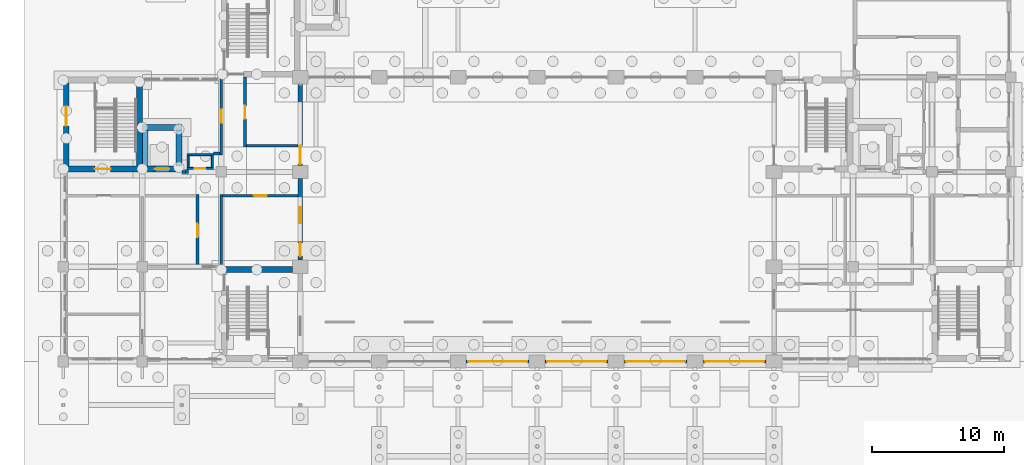
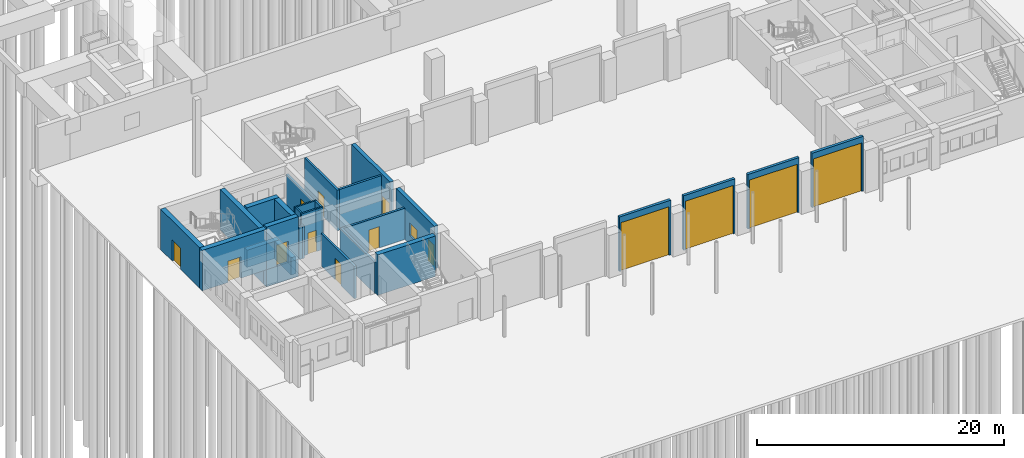
# One storey, part 21 of 37: 30 walls, 14 doors, 1 window, 15 openings.
"""IFC4 building model written with IfcOpenShell, lengths in metres."""

from ifc_helpers import new_model, si_unit, direction, frame, frame_2d, origin, place, context, subcontext, project, spatial, rectangle, extrude, material, layer, layer_set, type_object, element, fill, save


model = new_model("IFC4")

# Units and contexts
model_context = context("Model", 3, precision=1e-05, world=origin(), true_north=direction((0.0, 1.0)))
body_context = subcontext(model_context, "Body", "Model", "MODEL_VIEW")
ifc_project = project(units=[si_unit("LENGTHUNIT", "METRE"), si_unit("AREAUNIT", "SQUARE_METRE"), si_unit("VOLUMEUNIT", "CUBIC_METRE"), si_unit("PLANEANGLEUNIT", "RADIAN"), si_unit("MASSUNIT", "GRAM", prefix="KILO")], contexts=[model_context])

# Site, building, storey
site_placement = place(None, origin())
site = spatial("IfcSite", under=ifc_project, at=site_placement, CompositionType="ELEMENT")
building_placement = place(site_placement, origin())
building = spatial("IfcBuilding", under=site, at=building_placement, Name="Laocheng Heights Fire and Rescue Headquarters", CompositionType="ELEMENT")
storey_placement = place(building_placement, origin())
storey = spatial("IfcBuildingStorey", under=building, at=storey_placement, Name="L00", CompositionType="ELEMENT", Elevation=0.0)

# Wall
ifc_material_1 = material(Name="Gypsum plaster")
ifc_layer_1 = layer(ifc_material_1, 0.010009765625, Name="PLASTER", Category="plaster")
ifc_material_2 = material(Name="Concrete blockwork MU10", Category="masonry")
ifc_layer_2 = layer(ifc_material_2, 0.179931640625, Name="BLOCKWORK", Category="masonry")
ifc_layer_3 = layer(ifc_material_1, 0.010009765625, Name="PLASTER", Category="plaster")
ifc_layer_set_1 = layer_set([ifc_layer_1, ifc_layer_2, ifc_layer_3], Name="Concrete blockwork MU10")
wall_type_1 = type_object("IfcWallType", Name="BLOCKWORK FIRE PARTITION 200 EI 60 BAY", PredefinedType="PARTITIONING", material=ifc_layer_set_1)
wall_1_placement = place(storey_placement, frame((9.39990234375, 14.300048828125, 0.0), z_axis=(0.0, 0.0, 1.0), x_axis=(0.0, 1.0, 0.0)))
element("IfcWall", 1, at=wall_1_placement, inside=storey, type_object=wall_type_1, Name="Partition L00-003", PredefinedType="PARTITIONING", context=body_context, shape_type="SweptSolid", body=[
    extrude(rectangle(XDim=0.300048828125, YDim=0.199951171875, at=frame_2d((0.14990234375, 0.0))), origin(), (0.0, 0.0, 1.0), 3.199951171875),
])

# Wall, opening, door
wall_2_placement = place(storey_placement, frame((10.199951171875, 7.300048828125, 0.0), z_axis=(0.0, 0.0, 1.0), x_axis=(0.0, 1.0, 0.0)))
wall_2 = element("IfcWall", 2, at=wall_2_placement, inside=storey, type_object=wall_type_1, Name="Partition L00-004", PredefinedType="PARTITIONING", context=body_context, shape_type="SweptSolid", body=[
    extrude(rectangle(XDim=5.39990234375, YDim=0.199951171875, at=frame_2d((2.699951171875, 0.0))), origin(), (0.0, 0.0, 1.0), 3.199951171875),
])
opening_1_placement = place(wall_2_placement, frame((2.14990234375, 0.0, 0.0)))
opening_1 = element("IfcOpeningElement", 3, at=opening_1_placement, cuts=wall_2, Name="Opening L00-I04", PredefinedType="OPENING", context=body_context, shape_type="SweptSolid", body=[
    extrude(rectangle(XDim=1.0, YDim=2.10009765625, at=frame_2d((0.5, 1.050048828125))), frame((0.0, 0.10986328125, 0.0), z_axis=(0.0, -1.0, 0.0), x_axis=(1.0, 0.0, 0.0)), (0.0, 0.0, 1.0), 0.219970703125),
])
ifc_material_3 = material(Name="Steel door leaf, painted", Category="steel")
door_type_1 = type_object("IfcDoorType", Name="STEEL FIRE DOOR 1000x2100 EI 60 BAY", OperationType="SINGLE_SWING_LEFT", PredefinedType="DOOR", material=ifc_material_3)
door_1_placement = place(opening_1_placement, origin())
door_1 = element("IfcDoor", 4, at=door_1_placement, inside=storey, type_object=door_type_1, Name="Door L00-I04", OperationType="SINGLE_SWING_RIGHT", OverallHeight=2.10009765625, OverallWidth=1.0, PredefinedType="DOOR", context=body_context, shape_type="SweptSolid", body=[
    extrude(rectangle(XDim=1.0, YDim=2.10009765625, at=frame_2d((0.5, 1.050048828125))), frame((0.0, 0.02490234375, 0.0), z_axis=(0.0, -1.0, 0.0), x_axis=(1.0, 0.0, 0.0)), (0.0, 0.0, 1.0), 0.050048828125),
])
fill(opening_1, door_1)

# Wall
wall_3_placement = place(storey_placement, frame((12.0, 7.10009765625, 0.0), z_axis=(0.0, 0.0, 1.0), x_axis=(0.0, 1.0, 0.0)))
element("IfcWall", 5, at=wall_3_placement, inside=storey, type_object=wall_type_1, Name="Partition L00-005", PredefinedType="PARTITIONING", context=body_context, shape_type="SweptSolid", body=[
    extrude(rectangle(XDim=5.599853515625, YDim=0.199951171875, at=frame_2d((2.7998046875, 0.0))), origin(), (0.0, 0.0, 1.0), 3.10009765625),
])

# Wall, opening, door
wall_4_placement = place(storey_placement, frame((12.0, 15.699951171875, 0.0), z_axis=(0.0, 0.0, 1.0), x_axis=(0.0, 1.0, 0.0)))
wall_4 = element("IfcWall", 6, at=wall_4_placement, inside=storey, type_object=wall_type_1, Name="Partition L00-006", PredefinedType="PARTITIONING", context=body_context, shape_type="SweptSolid", body=[
    extrude(rectangle(XDim=5.75, YDim=0.199951171875, at=frame_2d((2.875, 0.0))), origin(), (0.0, 0.0, 1.0), 3.10009765625),
])
opening_2_placement = place(wall_4_placement, frame((2.425048828125, 0.0, 0.0)))
opening_2 = element("IfcOpeningElement", 7, at=opening_2_placement, cuts=wall_4, Name="Opening L00-I06", PredefinedType="OPENING", context=body_context, shape_type="SweptSolid", body=[
    extrude(rectangle(XDim=1.0, YDim=2.10009765625, at=frame_2d((0.5, 1.050048828125))), frame((0.0, 0.10986328125, 0.0), z_axis=(0.0, -1.0, 0.0), x_axis=(1.0, 0.0, 0.0)), (0.0, 0.0, 1.0), 0.219970703125),
])
door_2_placement = place(opening_2_placement, origin())
door_2 = element("IfcDoor", 8, at=door_2_placement, inside=storey, type_object=door_type_1, Name="Door L00-I06", OperationType="SINGLE_SWING_RIGHT", OverallHeight=2.10009765625, OverallWidth=1.0, PredefinedType="DOOR", context=body_context, shape_type="SweptSolid", body=[
    extrude(rectangle(XDim=1.0, YDim=2.10009765625, at=frame_2d((0.5, 1.050048828125))), frame((0.0, 0.02490234375, 0.0), z_axis=(0.0, -1.0, 0.0), x_axis=(1.0, 0.0, 0.0)), (0.0, 0.0, 1.0), 0.050048828125),
])
fill(opening_2, door_2)

wall_5_placement = place(storey_placement, frame((13.800048828125, 16.300048828125, 0.0), z_axis=(0.0, 0.0, 1.0), x_axis=(0.0, 1.0, 0.0)))
wall_5 = element("IfcWall", 9, at=wall_5_placement, inside=storey, type_object=wall_type_1, Name="Partition L00-007", PredefinedType="PARTITIONING", context=body_context, shape_type="SweptSolid", body=[
    extrude(rectangle(XDim=5.300048828125, YDim=0.199951171875, at=frame_2d((2.64990234375, 0.0))), origin(), (0.0, 0.0, 1.0), 4.0),
])
opening_3_placement = place(wall_5_placement, frame((2.125, 0.0, 0.0)))
opening_3 = element("IfcOpeningElement", 10, at=opening_3_placement, cuts=wall_5, Name="Opening L00-I05", PredefinedType="OPENING", context=body_context, shape_type="SweptSolid", body=[
    extrude(rectangle(XDim=1.0, YDim=2.10009765625, at=frame_2d((0.5, 1.050048828125))), frame((0.0, 0.10986328125, 0.0), z_axis=(0.0, -1.0, 0.0), x_axis=(1.0, 0.0, 0.0)), (0.0, 0.0, 1.0), 0.219970703125),
])
door_3_placement = place(opening_3_placement, frame((1.0, 0.0, 0.0), z_axis=(0.0, 0.0, 1.0), x_axis=(-1.0, 0.0, 0.0)))
door_3 = element("IfcDoor", 11, at=door_3_placement, inside=storey, type_object=door_type_1, Name="Door L00-I05", OperationType="SINGLE_SWING_RIGHT", OverallHeight=2.10009765625, OverallWidth=1.0, PredefinedType="DOOR", context=body_context, shape_type="SweptSolid", body=[
    extrude(rectangle(XDim=1.0, YDim=2.10009765625, at=frame_2d((0.5, 1.050048828125))), frame((0.0, 0.02490234375, 0.0), z_axis=(0.0, -1.0, 0.0), x_axis=(1.0, 0.0, 0.0)), (0.0, 0.0, 1.0), 0.050048828125),
])
fill(opening_3, door_3)

wall_6_placement = place(storey_placement, frame((12.10009765625, 12.60009765625, 0.0), z_axis=(0.0, 0.0, 1.0), x_axis=(1.0, 0.0, 0.0)))
wall_6 = element("IfcWall", 12, at=wall_6_placement, inside=storey, type_object=wall_type_1, Name="Partition L00-022", PredefinedType="PARTITIONING", context=body_context, shape_type="SweptSolid", body=[
    extrude(rectangle(XDim=5.75, YDim=0.199951171875, at=frame_2d((2.875, 0.0))), origin(), (0.0, 0.0, 1.0), 3.10009765625),
])
opening_4_placement = place(wall_6_placement, frame((2.375, 0.0, 0.0)))
opening_4 = element("IfcOpeningElement", 13, at=opening_4_placement, cuts=wall_6, Name="Opening L00-I07", PredefinedType="OPENING", context=body_context, shape_type="SweptSolid", body=[
    extrude(rectangle(XDim=1.0, YDim=2.10009765625, at=frame_2d((0.5, 1.050048828125))), frame((0.0, 0.10986328125, 0.0), z_axis=(0.0, -1.0, 0.0), x_axis=(1.0, 0.0, 0.0)), (0.0, 0.0, 1.0), 0.219970703125),
])
door_4_placement = place(opening_4_placement, frame((1.0, 0.0, 0.0), z_axis=(0.0, 0.0, 1.0), x_axis=(-1.0, 0.0, 0.0)))
door_4 = element("IfcDoor", 14, at=door_4_placement, inside=storey, type_object=door_type_1, Name="Door L00-I07", OperationType="SINGLE_SWING_LEFT", OverallHeight=2.10009765625, OverallWidth=1.0, PredefinedType="DOOR", context=body_context, shape_type="SweptSolid", body=[
    extrude(rectangle(XDim=1.0, YDim=2.10009765625, at=frame_2d((0.5, 1.050048828125))), frame((0.0, 0.02490234375, 0.0), z_axis=(0.0, -1.0, 0.0), x_axis=(1.0, 0.0, 0.0)), (0.0, 0.0, 1.0), 0.050048828125),
])
fill(opening_4, door_4)

# Walls
wall_7_placement = place(storey_placement, frame((9.0, 14.39990234375, 0.0), z_axis=(0.0, 0.0, 1.0), x_axis=(1.0, 0.0, 0.0)))
element("IfcWall", 15, at=wall_7_placement, inside=storey, type_object=wall_type_1, Name="Partition L00-025", PredefinedType="PARTITIONING", context=body_context, shape_type="SweptSolid", body=[
    extrude(rectangle(XDim=0.300048828125, YDim=0.199951171875, at=frame_2d((0.14990234375, 0.0))), origin(), (0.0, 0.0, 1.0), 3.199951171875),
])
wall_8_placement = place(storey_placement, frame((11.39990234375, 15.800048828125, 0.0), z_axis=(0.0, 0.0, 1.0), x_axis=(1.0, 0.0, 0.0)))
element("IfcWall", 16, at=wall_8_placement, inside=storey, type_object=wall_type_1, Name="Partition L00-029", PredefinedType="PARTITIONING", context=body_context, shape_type="SweptSolid", body=[
    extrude(rectangle(XDim=0.5, YDim=0.199951171875, at=frame_2d((0.25, 0.0))), origin(), (0.0, 0.0, 1.0), 3.10009765625),
])
wall_9_placement = place(storey_placement, frame((13.89990234375, 16.39990234375, 0.0), z_axis=(0.0, 0.0, 1.0), x_axis=(1.0, 0.0, 0.0)))
element("IfcWall", 17, at=wall_9_placement, inside=storey, type_object=wall_type_1, Name="Partition L00-030", PredefinedType="PARTITIONING", context=body_context, shape_type="SweptSolid", body=[
    extrude(rectangle(XDim=3.9501953125, YDim=0.199951171875, at=frame_2d((1.97509765625, 0.0))), origin(), (0.0, 0.0, 1.0), 4.0),
])

# Wall, openings, window, door
ifc_material_4 = material(Name="Concrete C50", Category="concrete")
ifc_layer_4 = layer(ifc_material_4, 0.35009765625)
ifc_layer_set_2 = layer_set([ifc_layer_4], Name="Concrete C50")
wall_type_2 = type_object("IfcWallType", Name="RC COMPARTMENT WALL 350 HALL REI 180", PredefinedType="SOLIDWALL", material=ifc_layer_set_2)
wall_10_placement = place(storey_placement, frame((18.0, 7.699951171875, 0.0), z_axis=(0.0, 0.0, 1.0), x_axis=(0.0, 1.0, 0.0)))
wall_10 = element("IfcWall", 18, at=wall_10_placement, inside=storey, type_object=wall_type_2, Name="Hall compartment wall W2", PredefinedType="SOLIDWALL", context=body_context, shape_type="SweptSolid", body=[
    extrude(rectangle(XDim=6.199951171875, YDim=0.35009765625, at=frame_2d((3.10009765625, 0.0))), origin(), (0.0, 0.0, 1.0), 4.199951171875),
])
opening_5_placement = place(wall_10_placement, frame((0.300048828125, 0.0, 0.0)))
opening_5 = element("IfcOpeningElement", 19, at=opening_5_placement, cuts=wall_10, Name="Opening L00-I22", PredefinedType="OPENING", context=body_context, shape_type="SweptSolid", body=[
    extrude(rectangle(XDim=1.0, YDim=2.10009765625, at=frame_2d((0.5, 1.050048828125))), frame((0.0, 0.18505859375, 0.0), z_axis=(0.0, -1.0, 0.0), x_axis=(1.0, 0.0, 0.0)), (0.0, 0.0, 1.0), 0.3701171875),
])
opening_6_placement = place(wall_10_placement, frame((2.800048828125, 0.0, 0.89990234375)))
opening_6 = element("IfcOpeningElement", 20, at=opening_6_placement, cuts=wall_10, Name="Opening N1-I", PredefinedType="OPENING", context=body_context, shape_type="SweptSolid", body=[
    extrude(rectangle(XDim=1.199951171875, YDim=1.199951171875, at=frame_2d((0.60009765625, 0.60009765625))), frame((0.0, 0.18505859375, 0.0), z_axis=(0.0, -1.0, 0.0), x_axis=(1.0, 0.0, 0.0)), (0.0, 0.0, 1.0), 0.3701171875),
])
ifc_material_5 = material(Name="Fire-resistant glazing in steel frame", Category="steel")
window_type = type_object("IfcWindowType", Name="OPENABLE FIRE-RESISTANT WINDOW 1200 x 1200 SILL 900 WATCH ROOM BAY VIEWING EI 120", PartitioningType="SINGLE_PANEL", PredefinedType="WINDOW", material=ifc_material_5)
window_placement = place(opening_6_placement, origin())
window = element("IfcWindow", 21, at=window_placement, inside=storey, type_object=window_type, Name="Window Watch Room Bay Viewing", OverallHeight=1.199951171875, OverallWidth=1.199951171875, PartitioningType="SINGLE_PANEL", PredefinedType="WINDOW", context=body_context, shape_type="SweptSolid", body=[
    extrude(rectangle(XDim=1.199951171875, YDim=1.199951171875, at=frame_2d((0.60009765625, 0.60009765625))), frame((0.0, 0.030029296875, 0.0), z_axis=(0.0, -1.0, 0.0), x_axis=(1.0, 0.0, 0.0)), (0.0, 0.0, 1.0), 0.06005859375),
])
fill(opening_6, window)
ifc_material_6 = material(Name="Steel door leaf, painted", Category="steel")
door_type_2 = type_object("IfcDoorType", Name="STEEL FIRE DOOR 1000x2100 EI 120 WATCH ROOM BAY", OperationType="SINGLE_SWING_LEFT", PredefinedType="DOOR", material=ifc_material_6)
door_5_placement = place(opening_5_placement, origin())
door_5 = element("IfcDoor", 22, at=door_5_placement, inside=storey, type_object=door_type_2, Name="Door L00-I22", OperationType="SINGLE_SWING_LEFT", OverallHeight=2.10009765625, OverallWidth=1.0, PredefinedType="DOOR", context=body_context, shape_type="SweptSolid", body=[
    extrude(rectangle(XDim=1.0, YDim=2.10009765625, at=frame_2d((0.5, 1.050048828125))), frame((0.0, 0.02490234375, 0.0), z_axis=(0.0, -1.0, 0.0), x_axis=(1.0, 0.0, 0.0)), (0.0, 0.0, 1.0), 0.050048828125),
])
fill(opening_5, door_5)

# Wall, opening, door
wall_11_placement = place(storey_placement, frame((18.0, 14.89990234375, 0.0), z_axis=(0.0, 0.0, 1.0), x_axis=(0.0, 1.0, 0.0)))
wall_11 = element("IfcWall", 23, at=wall_11_placement, inside=storey, type_object=wall_type_2, Name="Hall compartment wall W3", PredefinedType="SOLIDWALL", context=body_context, shape_type="SweptSolid", body=[
    extrude(rectangle(XDim=6.2001953125, YDim=0.35009765625, at=frame_2d((3.10009765625, 0.0))), origin(), (0.0, 0.0, 1.0), 4.199951171875),
])
opening_7_placement = place(wall_11_placement, frame((0.10009765625, 0.0, 0.0)))
opening_7 = element("IfcOpeningElement", 24, at=opening_7_placement, cuts=wall_11, Name="Opening L00-I19", PredefinedType="OPENING", context=body_context, shape_type="SweptSolid", body=[
    extrude(rectangle(XDim=1.39990234375, YDim=2.10009765625, at=frame_2d((0.699951171875, 1.050048828125))), frame((0.0, 0.18505859375, 0.0), z_axis=(0.0, -1.0, 0.0), x_axis=(1.0, 0.0, 0.0)), (0.0, 0.0, 1.0), 0.3701171875),
])
ifc_material_7 = material(Name="Steel door leaf with vision panel, double acting", Category="steel")
door_type_3 = type_object("IfcDoorType", Name="DOUBLE-ACTING DOOR 1400 x 2100 WITH VISION PANEL EI 120", OperationType="DOUBLE_DOOR_DOUBLE_SWING", PredefinedType="DOOR", material=ifc_material_7)
door_6_placement = place(opening_7_placement, origin())
door_6 = element("IfcDoor", 25, at=door_6_placement, inside=storey, type_object=door_type_3, Name="Door L00-I19", OperationType="DOUBLE_DOOR_DOUBLE_SWING", OverallHeight=2.10009765625, OverallWidth=1.39990234375, PredefinedType="DOOR", context=body_context, shape_type="SweptSolid", body=[
    extrude(rectangle(XDim=1.39990234375, YDim=2.10009765625, at=frame_2d((0.699951171875, 1.050048828125))), frame((0.0, 0.02490234375, 0.0), z_axis=(0.0, -1.0, 0.0), x_axis=(1.0, 0.0, 0.0)), (0.0, 0.0, 1.0), 0.050048828125),
])
fill(opening_7, door_6)

ifc_material_8 = material(Name="Concrete C40", Category="concrete")
ifc_layer_5 = layer(ifc_material_8, 0.25)
ifc_layer_set_3 = layer_set([ifc_layer_5], Name="Concrete C40")
wall_type_3 = type_object("IfcWallType", Name="RC DOOR WALL 250 BAY GABLE", PredefinedType="SOLIDWALL", material=ifc_layer_set_3)
wall_12_placement = place(storey_placement, frame((30.60009765625, 0.0, 0.0), z_axis=(0.0, 0.0, 1.0), x_axis=(1.0, 0.0, 0.0)))
wall_12 = element("IfcWall", 26, at=wall_12_placement, inside=storey, type_object=wall_type_3, Name="Gable door wall S3", PredefinedType="SOLIDWALL", context=body_context, shape_type="SweptSolid", body=[
    extrude(rectangle(XDim=4.7998046875, YDim=0.25, at=frame_2d((2.39990234375, 0.0))), origin(), (0.0, 0.0, 1.0), 5.39990234375),
])
opening_8_placement = place(wall_12_placement, frame((0.14990234375, 0.0, 0.0)))
opening_8 = element("IfcOpeningElement", 27, at=opening_8_placement, cuts=wall_12, Name="Opening L00-P03", PredefinedType="OPENING", context=body_context, shape_type="SweptSolid", body=[
    extrude(rectangle(XDim=4.5, YDim=4.800048828125, at=frame_2d((2.25, 2.39990234375))), frame((0.0, 0.135009765625, 0.0), z_axis=(0.0, -1.0, 0.0), x_axis=(1.0, 0.0, 0.0)), (0.0, 0.0, 1.0), 0.27001953125),
])
ifc_material_9 = material(Name="Powder-coated steel sectional door, signal red, vision panels", Category="steel")
door_type_4 = type_object("IfcDoorType", Name="SECTIONAL OVERHEAD VEHICLE DOOR 4500 x 4800", OperationType="ROLLINGUP", PredefinedType="DOOR", material=ifc_material_9)
door_7_placement = place(opening_8_placement, frame((4.5, 0.0, 0.0), z_axis=(0.0, 0.0, 1.0), x_axis=(-1.0, 0.0, 0.0)))
door_7 = element("IfcDoor", 28, at=door_7_placement, inside=storey, type_object=door_type_4, Name="Vehicle door L00-P03", OperationType="ROLLINGUP", OverallHeight=4.800048828125, OverallWidth=4.5, PredefinedType="DOOR", context=body_context, shape_type="SweptSolid", body=[
    extrude(rectangle(XDim=4.5, YDim=4.800048828125, at=frame_2d((2.25, 2.39990234375))), frame((0.0, 0.02490234375, 0.0), z_axis=(0.0, -1.0, 0.0), x_axis=(1.0, 0.0, 0.0)), (0.0, 0.0, 1.0), 0.050048828125),
])
fill(opening_8, door_7)

wall_13_placement = place(storey_placement, frame((36.60009765625, 0.0, 0.0), z_axis=(0.0, 0.0, 1.0), x_axis=(1.0, 0.0, 0.0)))
wall_13 = element("IfcWall", 29, at=wall_13_placement, inside=storey, type_object=wall_type_3, Name="Gable door wall S4", PredefinedType="SOLIDWALL", context=body_context, shape_type="SweptSolid", body=[
    extrude(rectangle(XDim=4.7998046875, YDim=0.25, at=frame_2d((2.39990234375, 0.0))), origin(), (0.0, 0.0, 1.0), 5.39990234375),
])
opening_9_placement = place(wall_13_placement, frame((0.14990234375, 0.0, 0.0)))
opening_9 = element("IfcOpeningElement", 30, at=opening_9_placement, cuts=wall_13, Name="Opening L00-P04", PredefinedType="OPENING", context=body_context, shape_type="SweptSolid", body=[
    extrude(rectangle(XDim=4.5, YDim=4.800048828125, at=frame_2d((2.25, 2.39990234375))), frame((0.0, 0.135009765625, 0.0), z_axis=(0.0, -1.0, 0.0), x_axis=(1.0, 0.0, 0.0)), (0.0, 0.0, 1.0), 0.27001953125),
])
door_8_placement = place(opening_9_placement, frame((4.5, 0.0, 0.0), z_axis=(0.0, 0.0, 1.0), x_axis=(-1.0, 0.0, 0.0)))
door_8 = element("IfcDoor", 31, at=door_8_placement, inside=storey, type_object=door_type_4, Name="Vehicle door L00-P04", OperationType="ROLLINGUP", OverallHeight=4.800048828125, OverallWidth=4.5, PredefinedType="DOOR", context=body_context, shape_type="SweptSolid", body=[
    extrude(rectangle(XDim=4.5, YDim=4.800048828125, at=frame_2d((2.25, 2.39990234375))), frame((0.0, 0.02490234375, 0.0), z_axis=(0.0, -1.0, 0.0), x_axis=(1.0, 0.0, 0.0)), (0.0, 0.0, 1.0), 0.050048828125),
])
fill(opening_9, door_8)

wall_14_placement = place(storey_placement, frame((42.60009765625, 0.0, 0.0), z_axis=(0.0, 0.0, 1.0), x_axis=(1.0, 0.0, 0.0)))
wall_14 = element("IfcWall", 32, at=wall_14_placement, inside=storey, type_object=wall_type_3, Name="Gable door wall S5", PredefinedType="SOLIDWALL", context=body_context, shape_type="SweptSolid", body=[
    extrude(rectangle(XDim=4.7998046875, YDim=0.25, at=frame_2d((2.39990234375, 0.0))), origin(), (0.0, 0.0, 1.0), 5.39990234375),
])
opening_10_placement = place(wall_14_placement, frame((0.14990234375, 0.0, 0.0)))
opening_10 = element("IfcOpeningElement", 33, at=opening_10_placement, cuts=wall_14, Name="Opening L00-P05", PredefinedType="OPENING", context=body_context, shape_type="SweptSolid", body=[
    extrude(rectangle(XDim=4.5, YDim=4.800048828125, at=frame_2d((2.25, 2.39990234375))), frame((0.0, 0.135009765625, 0.0), z_axis=(0.0, -1.0, 0.0), x_axis=(1.0, 0.0, 0.0)), (0.0, 0.0, 1.0), 0.27001953125),
])
door_9_placement = place(opening_10_placement, frame((4.5, 0.0, 0.0), z_axis=(0.0, 0.0, 1.0), x_axis=(-1.0, 0.0, 0.0)))
door_9 = element("IfcDoor", 34, at=door_9_placement, inside=storey, type_object=door_type_4, Name="Vehicle door L00-P05", OperationType="ROLLINGUP", OverallHeight=4.800048828125, OverallWidth=4.5, PredefinedType="DOOR", context=body_context, shape_type="SweptSolid", body=[
    extrude(rectangle(XDim=4.5, YDim=4.800048828125, at=frame_2d((2.25, 2.39990234375))), frame((0.0, 0.02490234375, 0.0), z_axis=(0.0, -1.0, 0.0), x_axis=(1.0, 0.0, 0.0)), (0.0, 0.0, 1.0), 0.050048828125),
])
fill(opening_10, door_9)

wall_15_placement = place(storey_placement, frame((48.60009765625, 0.0, 0.0), z_axis=(0.0, 0.0, 1.0), x_axis=(1.0, 0.0, 0.0)))
wall_15 = element("IfcWall", 35, at=wall_15_placement, inside=storey, type_object=wall_type_3, Name="Gable door wall S6", PredefinedType="SOLIDWALL", context=body_context, shape_type="SweptSolid", body=[
    extrude(rectangle(XDim=4.7998046875, YDim=0.25, at=frame_2d((2.39990234375, 0.0))), origin(), (0.0, 0.0, 1.0), 5.39990234375),
])
opening_11_placement = place(wall_15_placement, frame((0.14990234375, 0.0, 0.0)))
opening_11 = element("IfcOpeningElement", 36, at=opening_11_placement, cuts=wall_15, Name="Opening L00-P06", PredefinedType="OPENING", context=body_context, shape_type="SweptSolid", body=[
    extrude(rectangle(XDim=4.5, YDim=4.800048828125, at=frame_2d((2.25, 2.39990234375))), frame((0.0, 0.135009765625, 0.0), z_axis=(0.0, -1.0, 0.0), x_axis=(1.0, 0.0, 0.0)), (0.0, 0.0, 1.0), 0.27001953125),
])
door_10_placement = place(opening_11_placement, frame((4.5, 0.0, 0.0), z_axis=(0.0, 0.0, 1.0), x_axis=(-1.0, 0.0, 0.0)))
door_10 = element("IfcDoor", 37, at=door_10_placement, inside=storey, type_object=door_type_4, Name="Vehicle door L00-P06", OperationType="ROLLINGUP", OverallHeight=4.800048828125, OverallWidth=4.5, PredefinedType="DOOR", context=body_context, shape_type="SweptSolid", body=[
    extrude(rectangle(XDim=4.5, YDim=4.800048828125, at=frame_2d((2.25, 2.39990234375))), frame((0.0, 0.02490234375, 0.0), z_axis=(0.0, -1.0, 0.0), x_axis=(1.0, 0.0, 0.0)), (0.0, 0.0, 1.0), 0.050048828125),
])
fill(opening_11, door_10)

ifc_material_10 = material(Name="Concrete C50", Category="concrete")
ifc_layer_6 = layer(ifc_material_10, 0.449951171875)
ifc_layer_set_4 = layer_set([ifc_layer_6], Name="Concrete C50")
wall_type_4 = type_object("IfcWallType", Name="RC LIFT SHAFT WALL 450", PredefinedType="SHEAR", material=ifc_layer_set_4)
wall_16_placement = place(storey_placement, frame((6.0, 14.625, 0.0), z_axis=(0.0, 0.0, 1.0), x_axis=(1.0, 0.0, 0.0)))
wall_16 = element("IfcWall", 38, at=wall_16_placement, inside=storey, type_object=wall_type_4, Name="Lift shaft wall", PredefinedType="SHEAR", context=body_context, shape_type="SweptSolid", body=[
    extrude(rectangle(XDim=3.0, YDim=0.449951171875, at=frame_2d((1.5, 0.0))), origin(), (0.0, 0.0, 1.0), 4.199951171875),
])
opening_12_placement = place(wall_16_placement, frame((0.949951171875, 0.0, 0.0)))
opening_12 = element("IfcOpeningElement", 39, at=opening_12_placement, cuts=wall_16, Name="Opening L00-K03", PredefinedType="OPENING", context=body_context, shape_type="SweptSolid", body=[
    extrude(rectangle(XDim=1.10009765625, YDim=2.10009765625, at=frame_2d((0.550048828125, 1.050048828125))), frame((0.0, 0.23486328125, 0.0), z_axis=(0.0, -1.0, 0.0), x_axis=(1.0, 0.0, 0.0)), (0.0, 0.0, 1.0), 0.469970703125),
])
ifc_material_11 = material(Name="Stainless steel", Category="steel")
door_type_5 = type_object("IfcDoorType", Name="LANDING DOOR W-L1 SLIDING 1100x2100 E 120", OperationType="DOUBLE_DOOR_SLIDING", PredefinedType="DOOR", material=ifc_material_11)
door_11_placement = place(opening_12_placement, origin())
door_11 = element("IfcDoor", 40, at=door_11_placement, inside=storey, type_object=door_type_5, Name="Landing door W-L1", OperationType="DOUBLE_DOOR_SLIDING", OverallHeight=2.10009765625, OverallWidth=1.10009765625, PredefinedType="DOOR", context=body_context, shape_type="SweptSolid", body=[
    extrude(rectangle(XDim=1.10009765625, YDim=2.10009765625, at=frame_2d((0.550048828125, 1.050048828125))), frame((0.0, 0.02490234375, 0.0), z_axis=(0.0, -1.0, 0.0), x_axis=(1.0, 0.0, 0.0)), (0.0, 0.0, 1.0), 0.050048828125),
])
fill(opening_12, door_11)

# Walls
wall_17_placement = place(storey_placement, frame((6.0, 17.77490234375, 0.0), z_axis=(0.0, 0.0, 1.0), x_axis=(1.0, 0.0, 0.0)))
element("IfcWall", 41, at=wall_17_placement, inside=storey, type_object=wall_type_4, Name="Lift shaft wall", PredefinedType="SHEAR", context=body_context, shape_type="SweptSolid", body=[
    extrude(rectangle(XDim=3.0, YDim=0.449951171875, at=frame_2d((1.5, 0.0))), origin(), (0.0, 0.0, 1.0), 4.199951171875),
])
wall_18_placement = place(storey_placement, frame((8.77490234375, 14.85009765625, 0.0), z_axis=(0.0, 0.0, 1.0), x_axis=(0.0, 1.0, 0.0)))
element("IfcWall", 42, at=wall_18_placement, inside=storey, type_object=wall_type_4, Name="Lift shaft wall", PredefinedType="SHEAR", context=body_context, shape_type="SweptSolid", body=[
    extrude(rectangle(XDim=2.699951171875, YDim=0.449951171875, at=frame_2d((1.35009765625, 0.0))), origin(), (0.0, 0.0, 1.0), 4.199951171875),
])

# Wall, opening, door
ifc_material_12 = material(Name="Concrete C50", Category="concrete")
ifc_layer_7 = layer(ifc_material_12, 0.449951171875)
ifc_layer_set_5 = layer_set([ifc_layer_7], Name="Concrete C50")
wall_type_5 = type_object("IfcWallType", Name="RC STAIR ENCLOSURE WALL 450", PredefinedType="SHEAR", material=ifc_layer_set_5)
wall_19_placement = place(storey_placement, frame((0.0, 14.625, 0.0), z_axis=(0.0, 0.0, 1.0), x_axis=(1.0, 0.0, 0.0)))
wall_19 = element("IfcWall", 43, at=wall_19_placement, inside=storey, type_object=wall_type_5, Name="Stair enclosure wall", PredefinedType="SHEAR", context=body_context, shape_type="SweptSolid", body=[
    extrude(rectangle(XDim=6.0, YDim=0.449951171875, at=frame_2d((3.0, 0.0))), origin(), (0.0, 0.0, 1.0), 4.0),
])
opening_13_placement = place(wall_19_placement, frame((2.39990234375, 0.0, 0.0)))
opening_13 = element("IfcOpeningElement", 44, at=opening_13_placement, cuts=wall_19, Name="Opening L00-K01", PredefinedType="OPENING", context=body_context, shape_type="SweptSolid", body=[
    extrude(rectangle(XDim=1.199951171875, YDim=2.10009765625, at=frame_2d((0.60009765625, 1.050048828125))), frame((0.0, 0.23486328125, 0.0), z_axis=(0.0, -1.0, 0.0), x_axis=(1.0, 0.0, 0.0)), (0.0, 0.0, 1.0), 0.469970703125),
])
ifc_material_13 = material(Name="Painted steel", Category="steel")
door_type_6 = type_object("IfcDoorType", Name="FIRE DOOR 1200x2100 EI 60", OperationType="SINGLE_SWING_LEFT", PredefinedType="DOOR", material=ifc_material_13)
door_12_placement = place(opening_13_placement, origin())
door_12 = element("IfcDoor", 45, at=door_12_placement, inside=storey, type_object=door_type_6, Name="Stair W1 door", OperationType="SINGLE_SWING_LEFT", OverallHeight=2.10009765625, OverallWidth=1.199951171875, PredefinedType="DOOR", context=body_context, shape_type="SweptSolid", body=[
    extrude(rectangle(XDim=1.199951171875, YDim=2.10009765625, at=frame_2d((0.60009765625, 1.050048828125))), frame((0.0, 0.02490234375, 0.0), z_axis=(0.0, -1.0, 0.0), x_axis=(1.0, 0.0, 0.0)), (0.0, 0.0, 1.0), 0.050048828125),
])
fill(opening_13, door_12)

wall_20_placement = place(storey_placement, frame((0.22509765625, 14.85009765625, 0.0), z_axis=(0.0, 0.0, 1.0), x_axis=(0.0, 1.0, 0.0)))
wall_20 = element("IfcWall", 46, at=wall_20_placement, inside=storey, type_object=wall_type_5, Name="Stair enclosure wall", PredefinedType="SHEAR", context=body_context, shape_type="SweptSolid", body=[
    extrude(rectangle(XDim=6.2998046875, YDim=0.449951171875, at=frame_2d((3.14990234375, 0.0))), origin(), (0.0, 0.0, 1.0), 4.0),
])
opening_14_placement = place(wall_20_placement, frame((3.050048828125, 0.0, 0.0)))
opening_14 = element("IfcOpeningElement", 47, at=opening_14_placement, cuts=wall_20, Name="Opening L00-K02", PredefinedType="OPENING", context=body_context, shape_type="SweptSolid", body=[
    extrude(rectangle(XDim=1.39990234375, YDim=2.10009765625, at=frame_2d((0.699951171875, 1.050048828125))), frame((0.0, 0.23486328125, 0.0), z_axis=(0.0, -1.0, 0.0), x_axis=(1.0, 0.0, 0.0)), (0.0, 0.0, 1.0), 0.469970703125),
])
ifc_material_14 = material(Name="Painted steel", Category="steel")
door_type_7 = type_object("IfcDoorType", Name="STAIR EXIT DOOR 1400x2100 EI 60", OperationType="DOUBLE_DOOR_SINGLE_SWING", PredefinedType="DOOR", material=ifc_material_14)
door_13_placement = place(opening_14_placement, origin())
door_13 = element("IfcDoor", 48, at=door_13_placement, inside=storey, type_object=door_type_7, Name="Stair W1 exit door", OperationType="DOUBLE_DOOR_SINGLE_SWING", OverallHeight=2.10009765625, OverallWidth=1.39990234375, PredefinedType="DOOR", context=body_context, shape_type="SweptSolid", body=[
    extrude(rectangle(XDim=1.39990234375, YDim=2.10009765625, at=frame_2d((0.699951171875, 1.050048828125))), frame((0.0, 0.02490234375, 0.0), z_axis=(0.0, -1.0, 0.0), x_axis=(1.0, 0.0, 0.0)), (0.0, 0.0, 1.0), 0.050048828125),
])
fill(opening_14, door_13)

# Walls
wall_21_placement = place(storey_placement, frame((5.77490234375, 14.85009765625, 0.0), z_axis=(0.0, 0.0, 1.0), x_axis=(0.0, 1.0, 0.0)))
element("IfcWall", 49, at=wall_21_placement, inside=storey, type_object=wall_type_5, Name="Stair enclosure wall", PredefinedType="SHEAR", context=body_context, shape_type="SweptSolid", body=[
    extrude(rectangle(XDim=6.2998046875, YDim=0.449951171875, at=frame_2d((3.14990234375, 0.0))), origin(), (0.0, 0.0, 1.0), 4.0),
])
wall_22_placement = place(storey_placement, frame((12.0, 6.97509765625, 0.0), z_axis=(0.0, 0.0, 1.0), x_axis=(1.0, 0.0, 0.0)))
element("IfcWall", 50, at=wall_22_placement, inside=storey, type_object=wall_type_5, Name="Stair enclosure wall", PredefinedType="SHEAR", context=body_context, shape_type="SweptSolid", body=[
    extrude(rectangle(XDim=5.39990234375, YDim=0.449951171875, at=frame_2d((2.699951171875, 0.0))), origin(), (0.0, 0.0, 1.0), 4.0),
])

# Wall, opening, door
ifc_material_15 = material(Name="Concrete C30", Category="concrete")
ifc_layer_8 = layer(ifc_material_15, 0.14990234375)
ifc_layer_set_6 = layer_set([ifc_layer_8], Name="Concrete C30")
wall_type_6 = type_object("IfcWallType", Name="RISER SHAFT WALL 150", PredefinedType="SOLIDWALL", material=ifc_layer_set_6)
wall_23_placement = place(storey_placement, frame((9.39990234375, 14.675048828125, 0.0), z_axis=(0.0, 0.0, 1.0), x_axis=(1.0, 0.0, 0.0)))
wall_23 = element("IfcWall", 51, at=wall_23_placement, inside=storey, type_object=wall_type_6, Name="Riser shaft wall", PredefinedType="SOLIDWALL", context=body_context, shape_type="SweptSolid", body=[
    extrude(rectangle(XDim=2.0, YDim=0.14990234375, at=frame_2d((1.0, 0.0))), origin(), (0.0, 0.0, 1.0), 4.199951171875),
])
opening_15_placement = place(wall_23_placement, frame((0.60009765625, 0.0, 0.0)))
opening_15 = element("IfcOpeningElement", 52, at=opening_15_placement, cuts=wall_23, Name="Opening L00-K04", PredefinedType="OPENING", context=body_context, shape_type="SweptSolid", body=[
    extrude(rectangle(XDim=0.800048828125, YDim=2.10009765625, at=frame_2d((0.39990234375, 1.050048828125))), frame((0.0, 0.0849609375, 0.0), z_axis=(0.0, -1.0, 0.0), x_axis=(1.0, 0.0, 0.0)), (0.0, 0.0, 1.0), 0.169921875),
])
ifc_material_16 = material(Name="Painted steel", Category="steel")
door_type_8 = type_object("IfcDoorType", Name="RISER ACCESS DOOR 800x2100 EI 30", OperationType="SINGLE_SWING_LEFT", PredefinedType="DOOR", material=ifc_material_16)
door_14_placement = place(opening_15_placement, frame((0.800048828125, 0.0, 0.0), z_axis=(0.0, 0.0, 1.0), x_axis=(-1.0, 0.0, 0.0)))
door_14 = element("IfcDoor", 53, at=door_14_placement, inside=storey, type_object=door_type_8, Name="Riser RW1 access door", OperationType="SINGLE_SWING_RIGHT", OverallHeight=2.10009765625, OverallWidth=0.800048828125, PredefinedType="DOOR", context=body_context, shape_type="SweptSolid", body=[
    extrude(rectangle(XDim=0.800048828125, YDim=2.10009765625, at=frame_2d((0.39990234375, 1.050048828125))), frame((0.0, 0.02490234375, 0.0), z_axis=(0.0, -1.0, 0.0), x_axis=(1.0, 0.0, 0.0)), (0.0, 0.0, 1.0), 0.050048828125),
])
fill(opening_15, door_14)

# Walls
wall_24_placement = place(storey_placement, frame((9.39990234375, 15.72509765625, 0.0), z_axis=(0.0, 0.0, 1.0), x_axis=(1.0, 0.0, 0.0)))
element("IfcWall", 54, at=wall_24_placement, inside=storey, type_object=wall_type_6, Name="Riser shaft wall", PredefinedType="SOLIDWALL", context=body_context, shape_type="SweptSolid", body=[
    extrude(rectangle(XDim=2.0, YDim=0.14990234375, at=frame_2d((1.0, 0.0))), origin(), (0.0, 0.0, 1.0), 4.199951171875),
])
for number, where, z_axis, x_axis, name in (
    (55, (9.47509765625, 14.75, 0.0), (0.0, 0.0, 1.0), (0.0, 1.0, 0.0), "Riser shaft wall"),
    (56, (11.324951171875, 14.75, 0.0), (0.0, 0.0, 1.0), (0.0, 1.0, 0.0), "Riser shaft wall"),
):
    element("IfcWall", number, at=place(storey_placement, frame(where, z_axis=z_axis, x_axis=x_axis)), inside=storey, type_object=wall_type_6, Name=name, PredefinedType="SOLIDWALL", context=body_context, shape_type="SweptSolid", body=[
        extrude(rectangle(XDim=0.89990234375, YDim=0.14990234375, at=frame_2d((0.449951171875, 0.0))), origin(), (0.0, 0.0, 1.0), 4.199951171875),
    ])
ifc_material_17 = material(Name="Concrete C40", Category="concrete")
ifc_layer_9 = layer(ifc_material_17, 0.449951171875)
ifc_layer_set_7 = layer_set([ifc_layer_9], Name="Concrete C40")
wall_type_7 = type_object("IfcWallType", Name="TANKED RC LIFT PIT WALL 450 BELOW DESIGN FLOOD LEVEL", PredefinedType="SHEAR", material=ifc_layer_set_7)
for number, where, z_axis, x_axis, name in (
    (57, (6.0, 14.625, -1.699951171875), (0.0, 0.0, 1.0), (1.0, 0.0, 0.0), "Lift pit wall"),
    (58, (6.0, 17.77490234375, -1.699951171875), (0.0, 0.0, 1.0), (1.0, 0.0, 0.0), "Lift pit wall"),
):
    element("IfcWall", number, at=place(storey_placement, frame(where, z_axis=z_axis, x_axis=x_axis)), inside=storey, type_object=wall_type_7, Name=name, PredefinedType="SHEAR", context=body_context, shape_type="SweptSolid", body=[
        extrude(rectangle(XDim=3.0, YDim=0.449951171875, at=frame_2d((1.5, 0.0))), origin(), (0.0, 0.0, 1.0), 1.699951171875),
    ])
for number, where, z_axis, x_axis, name in (
    (59, (6.22509765625, 14.85009765625, -1.699951171875), (0.0, 0.0, 1.0), (0.0, 1.0, 0.0), "Lift pit wall"),
    (60, (8.77490234375, 14.85009765625, -1.699951171875), (0.0, 0.0, 1.0), (0.0, 1.0, 0.0), "Lift pit wall"),
):
    element("IfcWall", number, at=place(storey_placement, frame(where, z_axis=z_axis, x_axis=x_axis)), inside=storey, type_object=wall_type_7, Name=name, PredefinedType="SHEAR", context=body_context, shape_type="SweptSolid", body=[
        extrude(rectangle(XDim=2.699951171875, YDim=0.449951171875, at=frame_2d((1.35009765625, 0.0))), origin(), (0.0, 0.0, 1.0), 1.699951171875),
    ])

save(model, "model.ifc")
